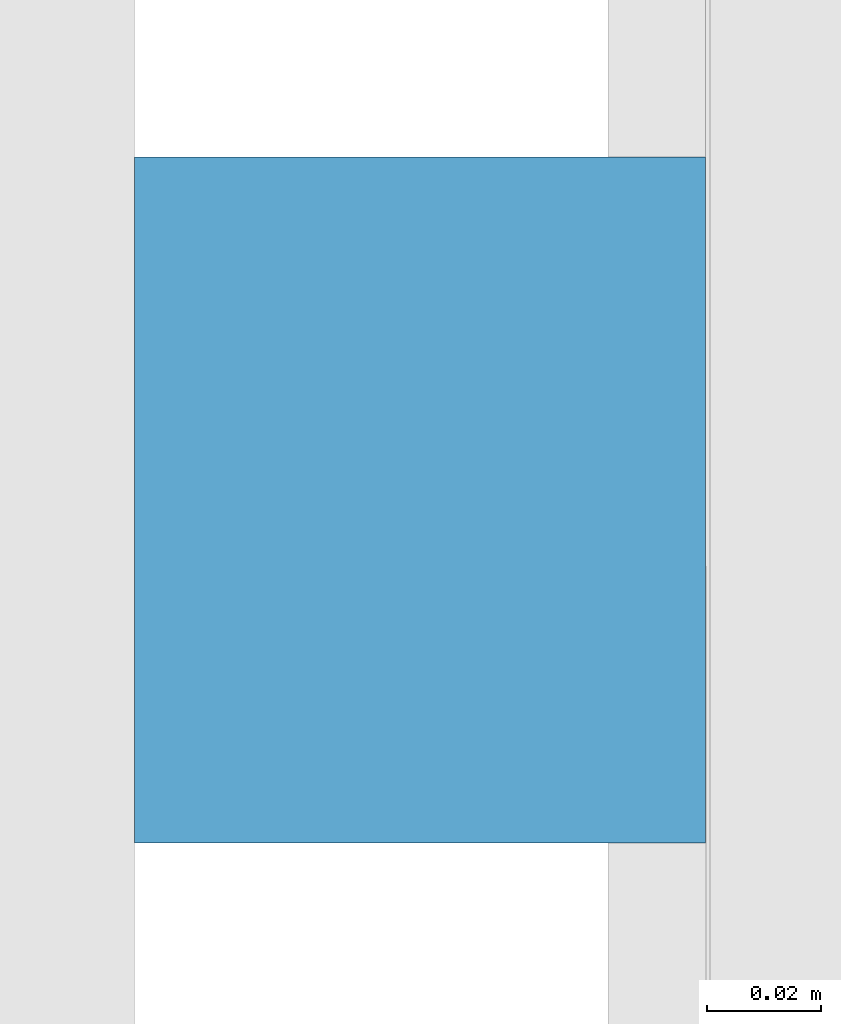
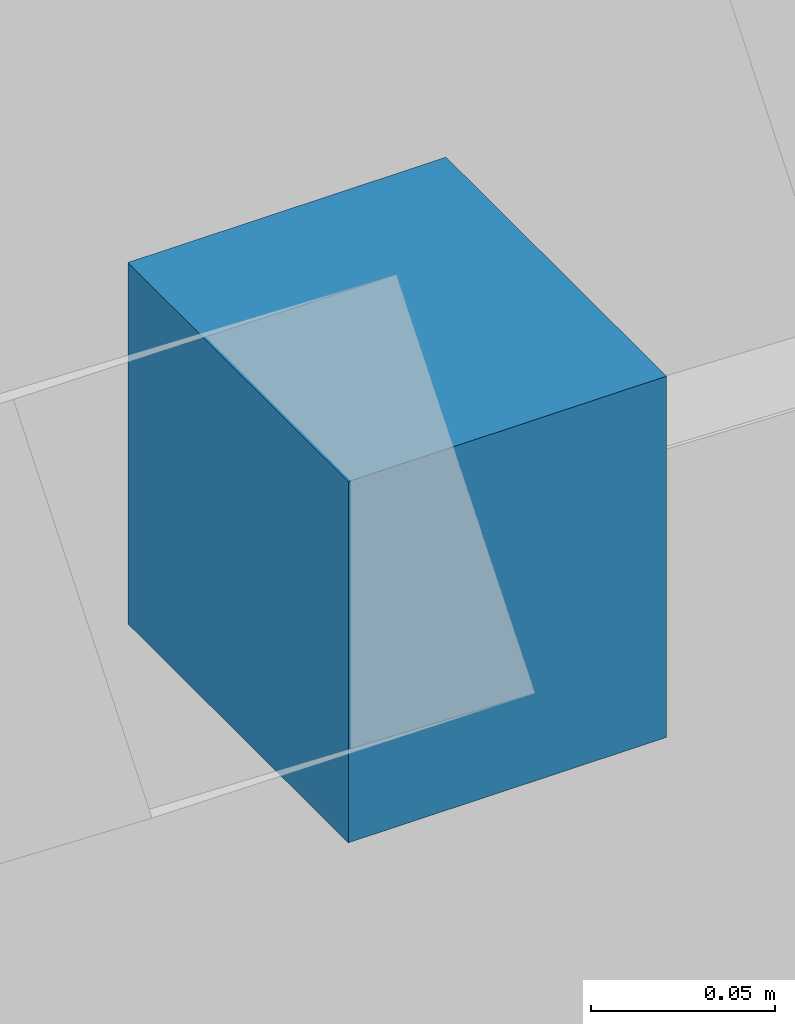
# One storey, part 24 of 27: 1 discrete accessory.
"""IFC4 building model written with IfcOpenShell, lengths in metres."""

from ifc_helpers import new_model, si_unit, direction, frame, origin, origin_2d, place, context, subcontext, project, spatial, rectangle, extrude, material, type_object, element, save


model = new_model("IFC4")

# Units and contexts
model_context = context("Model", 3, precision=1e-05, world=origin(), true_north=direction((0.0, 1.0)))
body_context = subcontext(model_context, "Body", "Model", "MODEL_VIEW")
ifc_project = project(units=[si_unit("LENGTHUNIT", "METRE"), si_unit("AREAUNIT", "SQUARE_METRE"), si_unit("VOLUMEUNIT", "CUBIC_METRE"), si_unit("PLANEANGLEUNIT", "RADIAN"), si_unit("MASSUNIT", "GRAM", prefix="KILO")], contexts=[model_context])

# Site, building, storey
site_placement = place(None, origin())
site = spatial("IfcSite", under=ifc_project, at=site_placement, CompositionType="ELEMENT")
building_placement = place(site_placement, origin())
building = spatial("IfcBuilding", under=site, at=building_placement, Name="Crosswind Convention Tower", CompositionType="ELEMENT")
storey_placement = place(building_placement, frame((0.0, 0.0, 68.300048828125)))
storey = spatial("IfcBuildingStorey", under=building, at=storey_placement, Name="L11", CompositionType="ELEMENT", Elevation=68.300048828125)

# Discrete accessory
ifc_material = material(Name="Stainless steel", Category="steel")
discrete_accessory_type = type_object("IfcDiscreteAccessoryType", Name="BAGUETTE BRACKET BK2", PredefinedType="BRACKET", material=ifc_material)
discrete_accessory_placement = place(storey_placement, frame((88.092041015625, 110.333740234375, 1.477294921875), z_axis=(0.0, 0.0, 1.0), x_axis=(0.0, -1.0, 0.0)))
element("IfcDiscreteAccessory", 1, at=discrete_accessory_placement, inside=storey, type_object=discrete_accessory_type, Name="BK2 baguette bracket", PredefinedType="BRACKET", context=body_context, shape_type="SweptSolid", body=[
    extrude(rectangle(XDim=0.1201171875, YDim=0.10009765625, at=origin_2d()), origin(), (0.0, 0.0, 1.0), 0.1201171875),
])

save(model, "model.ifc")
